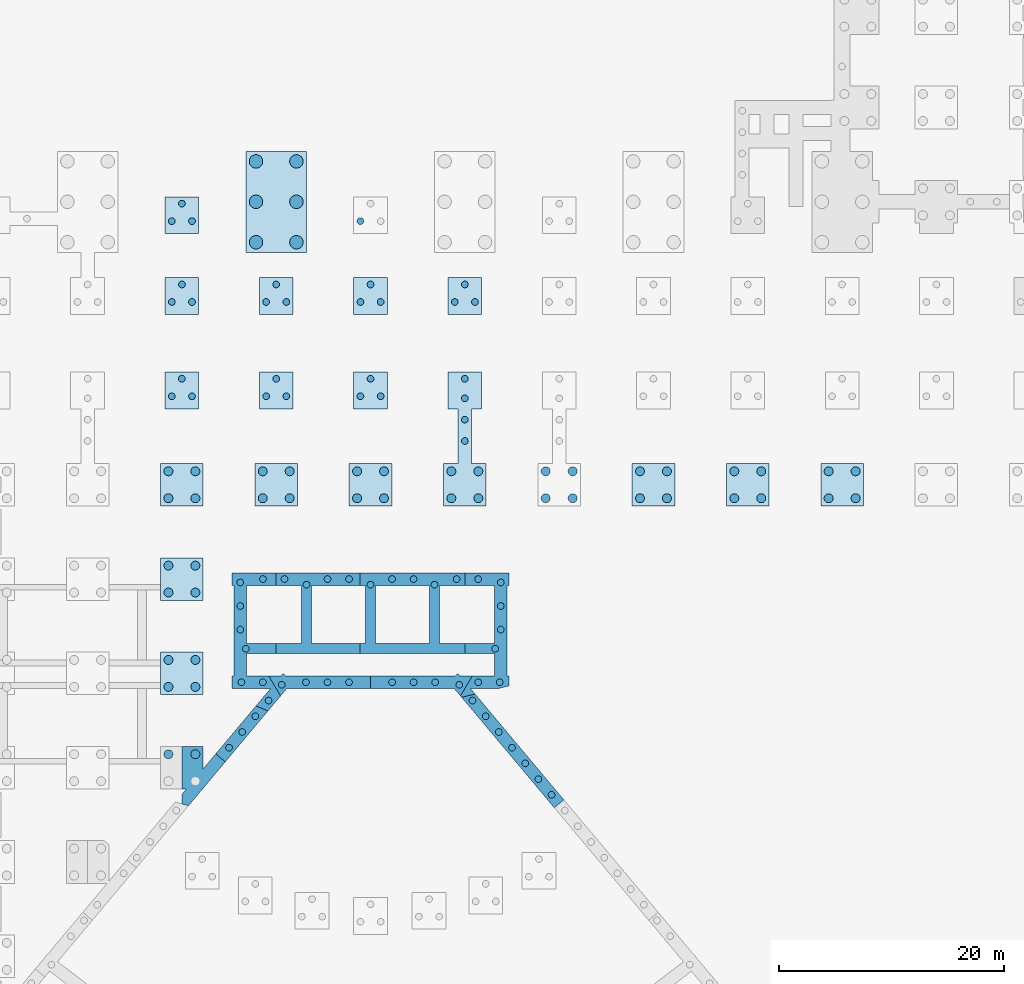
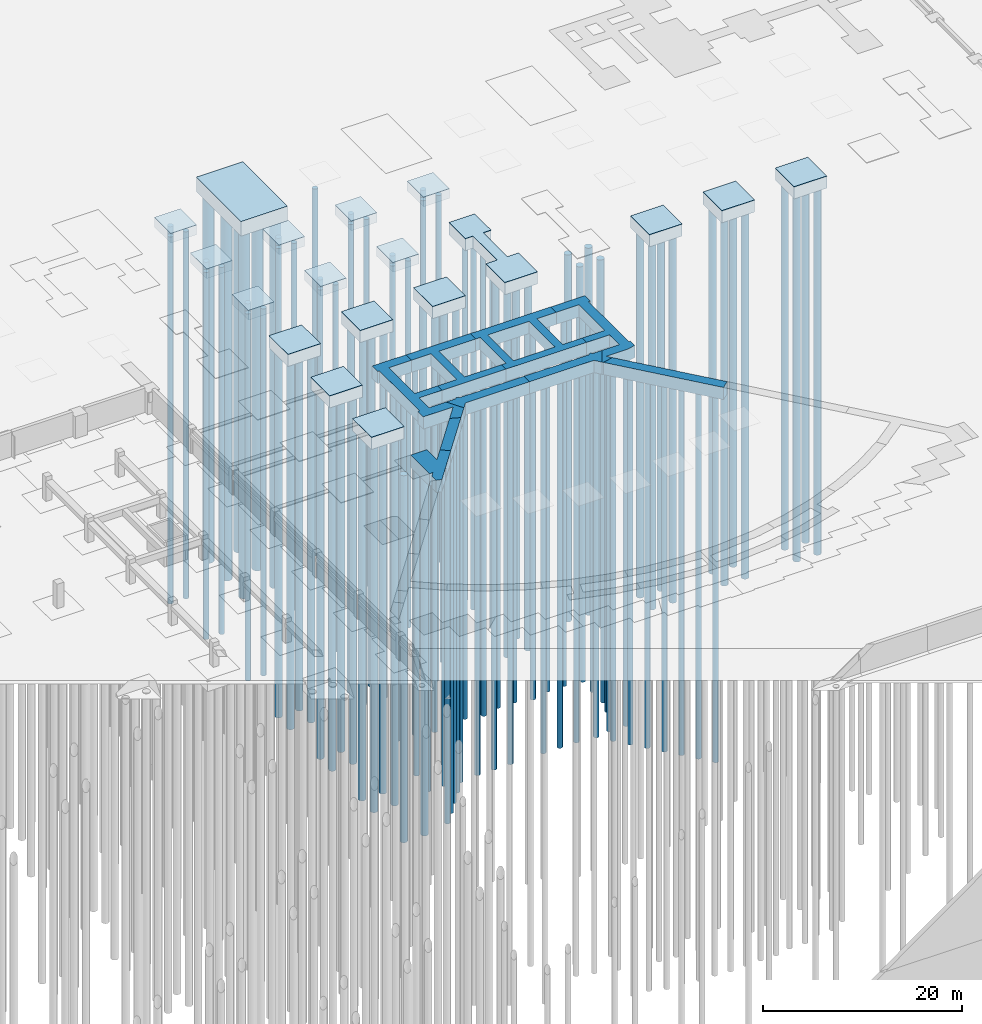
# One storey, part 11 of 67: 119 piles, 27 footings.
"""IFC4 building model written with IfcOpenShell, lengths in metres."""

from ifc_helpers import new_model, si_unit, direction, frame, origin, origin_2d, place, context, subcontext, project, spatial, polyline, circle, outline, extrude, material, material_profile, profile_set, type_object, element, save


model = new_model("IFC4")

# Units and contexts
model_context = context("Model", 3, precision=1e-05, world=origin(), true_north=direction((0.0, 1.0)))
body_context = subcontext(model_context, "Body", "Model", "MODEL_VIEW")
ifc_project = project(units=[si_unit("LENGTHUNIT", "METRE"), si_unit("AREAUNIT", "SQUARE_METRE"), si_unit("VOLUMEUNIT", "CUBIC_METRE"), si_unit("PLANEANGLEUNIT", "RADIAN"), si_unit("MASSUNIT", "GRAM", prefix="KILO")], contexts=[model_context])

# Site, building, storey
site_placement = place(None, origin())
site = spatial("IfcSite", under=ifc_project, at=site_placement, CompositionType="ELEMENT")
building_placement = place(site_placement, origin())
building = spatial("IfcBuilding", under=site, at=building_placement, Name="Rain Tree Exposition and Congress Centre", CompositionType="ELEMENT")
storey_placement = place(building_placement, frame((0.0, 0.0, -3.0)))
storey = spatial("IfcBuildingStorey", under=building, at=storey_placement, Name="B1", CompositionType="ELEMENT", Elevation=-3.0)

# Piles
ifc_material_1 = material(Name="Concrete C35/45", Category="concrete")
ifc_material_profile_1 = material_profile(ifc_material_1, circle(Radius=0.60009765625, at=origin_2d()), Name="D1200")
ifc_profile_set_1 = profile_set([ifc_material_profile_1], Name="Concrete C35/45")
pile_type_1 = type_object("IfcPileType", Name="Bored pile D1200", PredefinedType="BORED", material=ifc_profile_set_1)
for number, where, z_axis, x_axis, name in (
    (1, (191.39990234375, 97.199951171875, 0.92578125), (0.0, 0.0, -1.0), (1.0, 0.0, 0.0), "Bored pile 2024"),
    (2, (195.0, 97.199951171875, 0.92578125), (0.0, 0.0, -1.0), (1.0, 0.0, 0.0), "Bored pile 2025"),
    (3, (191.39990234375, 100.800048828125, 0.92578125), (0.0, 0.0, -1.0), (1.0, 0.0, 0.0), "Bored pile 2026"),
    (4, (195.0, 100.800048828125, 0.92578125), (0.0, 0.0, -1.0), (1.0, 0.0, 0.0), "Bored pile 2027"),
    (5, (191.39990234375, 104.39990234375, 0.92578125), (0.0, 0.0, -1.0), (1.0, 0.0, 0.0), "Bored pile 2028"),
    (6, (195.0, 104.39990234375, 0.92578125), (0.0, 0.0, -1.0), (1.0, 0.0, 0.0), "Bored pile 2029"),
):
    element("IfcPile", number, at=place(storey_placement, frame(where, z_axis=z_axis, x_axis=x_axis)), inside=storey, type_object=pile_type_1, Name=name, PredefinedType="BORED", context=body_context, shape_type="SweptSolid", body=[
        extrude(circle(Radius=0.60009765625, at=origin_2d()), origin(), (0.0, 0.0, 1.0), 45.074951171875),
    ])
ifc_material_2 = material(Name="Concrete C35/45", Category="concrete")
ifc_material_profile_2 = material_profile(ifc_material_2, circle(Radius=0.300048828125, at=origin_2d()), Name="D600")
ifc_profile_set_2 = profile_set([ifc_material_profile_2], Name="Concrete C35/45")
pile_type_2 = type_object("IfcPileType", Name="Bored pile D600", PredefinedType="BORED", material=ifc_profile_set_2)
for number, where, z_axis, x_axis, name in (
    (7, (191.345947265625, 54.979736328125, 1.2255859375), (0.0, 0.0, -1.0), (1.0, 0.0, 0.0), "Bored pile 1902"),
    (8, (190.172119140625, 53.580810546875, 1.2255859375), (0.0, 0.0, -1.0), (1.0, 0.0, 0.0), "Bored pile 1903"),
    (9, (188.998291015625, 52.181884765625, 1.2255859375), (0.0, 0.0, -1.0), (1.0, 0.0, 0.0), "Bored pile 1904"),
    (10, (192.519775390625, 56.378662109375, 1.2255859375), (0.0, 0.0, -1.0), (1.0, 0.0, 0.0), "Bored pile 1909"),
    (11, (190.10009765625, 58.010009765625, 1.2255859375), (0.0, 0.0, -1.0), (1.0, 0.0, 0.0), "Bored pile 1910"),
    (12, (192.0166015625, 58.010009765625, 1.2255859375), (0.0, 0.0, -1.0), (1.0, 0.0, 0.0), "Bored pile 1911"),
    (13, (190.5, 61.0, 1.2255859375), (0.0, 0.0, -1.0), (1.0, 0.0, 0.0), "Bored pile 1912"),
    (14, (190.0, 62.705078125, 1.2255859375), (0.0, 0.0, -1.0), (1.0, 0.0, 0.0), "Bored pile 1913"),
    (15, (190.0, 64.802490234375, 1.2255859375), (0.0, 0.0, -1.0), (1.0, 0.0, 0.0), "Bored pile 1914"),
    (16, (190.0, 66.89990234375, 1.2255859375), (0.0, 0.0, -1.0), (1.0, 0.0, 0.0), "Bored pile 1915"),
    (17, (192.0166015625, 67.199951171875, 1.2255859375), (0.0, 0.0, -1.0), (1.0, 0.0, 0.0), "Bored pile 1916"),
    (18, (193.933349609375, 67.199951171875, 1.2255859375), (0.0, 0.0, -1.0), (1.0, 0.0, 0.0), "Bored pile 1917"),
    (19, (195.89990234375, 66.699951171875, 1.2255859375), (0.0, 0.0, -1.0), (1.0, 0.0, 0.0), "Bored pile 1918"),
    (20, (197.7666015625, 67.199951171875, 1.2255859375), (0.0, 0.0, -1.0), (1.0, 0.0, 0.0), "Bored pile 1919"),
    (21, (199.683349609375, 67.199951171875, 1.2255859375), (0.0, 0.0, -1.0), (1.0, 0.0, 0.0), "Bored pile 1920"),
    (22, (201.60009765625, 66.699951171875, 1.2255859375), (0.0, 0.0, -1.0), (1.0, 0.0, 0.0), "Bored pile 1921"),
    (23, (203.5166015625, 67.199951171875, 1.2255859375), (0.0, 0.0, -1.0), (1.0, 0.0, 0.0), "Bored pile 1922"),
    (24, (205.433349609375, 67.199951171875, 1.2255859375), (0.0, 0.0, -1.0), (1.0, 0.0, 0.0), "Bored pile 1923"),
    (25, (207.300048828125, 66.699951171875, 1.2255859375), (0.0, 0.0, -1.0), (1.0, 0.0, 0.0), "Bored pile 1924"),
    (26, (209.2666015625, 67.199951171875, 1.2255859375), (0.0, 0.0, -1.0), (1.0, 0.0, 0.0), "Bored pile 1925"),
    (27, (211.183349609375, 67.199951171875, 1.2255859375), (0.0, 0.0, -1.0), (1.0, 0.0, 0.0), "Bored pile 1926"),
    (28, (213.199951171875, 66.89990234375, 1.2255859375), (0.0, 0.0, -1.0), (1.0, 0.0, 0.0), "Bored pile 1927"),
    (29, (213.199951171875, 64.802490234375, 1.2255859375), (0.0, 0.0, -1.0), (1.0, 0.0, 0.0), "Bored pile 1928"),
    (30, (213.199951171875, 62.705078125, 1.2255859375), (0.0, 0.0, -1.0), (1.0, 0.0, 0.0), "Bored pile 1929"),
    (31, (212.699951171875, 61.0, 1.2255859375), (0.0, 0.0, -1.0), (1.0, 0.0, 0.0), "Bored pile 1930"),
    (32, (211.183349609375, 58.010009765625, 1.2255859375), (0.0, 0.0, -1.0), (1.0, 0.0, 0.0), "Bored pile 1931"),
    (33, (213.10009765625, 58.010009765625, 1.2255859375), (0.0, 0.0, -1.0), (1.0, 0.0, 0.0), "Bored pile 1932"),
    (34, (210.68017578125, 56.378662109375, 1.2255859375), (0.0, 0.0, -1.0), (1.0, 0.0, 0.0), "Bored pile 1933"),
    (35, (211.85400390625, 54.979736328125, 1.2255859375), (0.0, 0.0, -1.0), (1.0, 0.0, 0.0), "Bored pile 1934"),
    (36, (213.02783203125, 53.580810546875, 1.2255859375), (0.0, 0.0, -1.0), (1.0, 0.0, 0.0), "Bored pile 1935"),
    (37, (214.20166015625, 52.181884765625, 1.2255859375), (0.0, 0.0, -1.0), (1.0, 0.0, 0.0), "Bored pile 1936"),
    (38, (215.37548828125, 50.782958984375, 1.2255859375), (0.0, 0.0, -1.0), (1.0, 0.0, 0.0), "Bored pile 1937"),
    (39, (216.54931640625, 49.384033203125, 1.2255859375), (0.0, 0.0, -1.0), (1.0, 0.0, 0.0), "Bored pile 1938"),
    (40, (217.723388671875, 47.985107421875, 1.2255859375), (0.0, 0.0, -1.0), (1.0, 0.0, 0.0), "Bored pile 1939"),
    (41, (209.50634765625, 57.777587890625, 1.2255859375), (0.0, 0.0, -1.0), (1.0, 0.0, 0.0), "Bored pile 2000"),
    (42, (203.5166015625, 58.010009765625, 1.2255859375), (0.0, 0.0, -1.0), (1.0, 0.0, 0.0), "Bored pile 2001"),
    (43, (205.433349609375, 58.010009765625, 1.2255859375), (0.0, 0.0, -1.0), (1.0, 0.0, 0.0), "Bored pile 2002"),
    (44, (207.35009765625, 58.010009765625, 1.2255859375), (0.0, 0.0, -1.0), (1.0, 0.0, 0.0), "Bored pile 2003"),
    (45, (193.693603515625, 57.777587890625, 1.2255859375), (0.0, 0.0, -1.0), (1.0, 0.0, 0.0), "Bored pile 2004"),
    (46, (195.85009765625, 58.010009765625, 1.2255859375), (0.0, 0.0, -1.0), (1.0, 0.0, 0.0), "Bored pile 2005"),
    (47, (197.7666015625, 58.010009765625, 1.2255859375), (0.0, 0.0, -1.0), (1.0, 0.0, 0.0), "Bored pile 2006"),
    (48, (199.683349609375, 58.010009765625, 1.2255859375), (0.0, 0.0, -1.0), (1.0, 0.0, 0.0), "Bored pile 2007"),
    (49, (210.0, 79.5, 1.27490234375), (0.0, 0.0, -1.0), (1.0, 0.0, 0.0), "Bored pile 2328"),
    (50, (210.0, 81.39990234375, 1.27490234375), (0.0, 0.0, -1.0), (1.0, 0.0, 0.0), "Bored pile 2329"),
    (51, (210.0, 83.300048828125, 1.27490234375), (0.0, 0.0, -1.0), (1.0, 0.0, 0.0), "Bored pile 2330"),
    (52, (210.0, 85.039306640625, 1.27490234375), (0.0, 0.0, -1.0), (1.0, 0.0, 0.0), "Bored pile 2331"),
    (53, (192.300048828125, 83.480224609375, 1.574951171875), (0.0, 0.0, -1.0), (1.0, 0.0, 0.0), "Bored pile 2332"),
    (54, (194.10009765625, 83.480224609375, 1.574951171875), (0.0, 0.0, -1.0), (1.0, 0.0, 0.0), "Bored pile 2333"),
    (55, (193.199951171875, 85.039306640625, 1.574951171875), (0.0, 0.0, -1.0), (1.0, 0.0, 0.0), "Bored pile 2334"),
    (56, (200.699951171875, 83.480224609375, 1.574951171875), (0.0, 0.0, -1.0), (1.0, 0.0, 0.0), "Bored pile 2335"),
    (57, (202.5, 83.480224609375, 1.574951171875), (0.0, 0.0, -1.0), (1.0, 0.0, 0.0), "Bored pile 2336"),
    (58, (201.60009765625, 85.039306640625, 1.574951171875), (0.0, 0.0, -1.0), (1.0, 0.0, 0.0), "Bored pile 2337"),
    (59, (183.89990234375, 83.480224609375, 1.574951171875), (0.0, 0.0, -1.0), (1.0, 0.0, 0.0), "Bored pile 2338"),
    (60, (185.699951171875, 83.480224609375, 1.574951171875), (0.0, 0.0, -1.0), (1.0, 0.0, 0.0), "Bored pile 2339"),
    (61, (184.800048828125, 85.039306640625, 1.574951171875), (0.0, 0.0, -1.0), (1.0, 0.0, 0.0), "Bored pile 2340"),
    (62, (200.699951171875, 91.88037109375, 1.574951171875), (0.0, 0.0, -1.0), (1.0, 0.0, 0.0), "Bored pile 2341"),
    (63, (202.5, 91.88037109375, 1.574951171875), (0.0, 0.0, -1.0), (1.0, 0.0, 0.0), "Bored pile 2342"),
    (64, (201.60009765625, 93.439208984375, 1.574951171875), (0.0, 0.0, -1.0), (1.0, 0.0, 0.0), "Bored pile 2343"),
    (65, (209.10009765625, 91.88037109375, 1.574951171875), (0.0, 0.0, -1.0), (1.0, 0.0, 0.0), "Bored pile 2344"),
    (66, (210.89990234375, 91.88037109375, 1.574951171875), (0.0, 0.0, -1.0), (1.0, 0.0, 0.0), "Bored pile 2345"),
    (67, (210.0, 93.439208984375, 1.574951171875), (0.0, 0.0, -1.0), (1.0, 0.0, 0.0), "Bored pile 2346"),
    (68, (183.89990234375, 91.88037109375, 1.574951171875), (0.0, 0.0, -1.0), (1.0, 0.0, 0.0), "Bored pile 2347"),
    (69, (185.699951171875, 91.88037109375, 1.574951171875), (0.0, 0.0, -1.0), (1.0, 0.0, 0.0), "Bored pile 2348"),
    (70, (184.800048828125, 93.439208984375, 1.574951171875), (0.0, 0.0, -1.0), (1.0, 0.0, 0.0), "Bored pile 2349"),
    (71, (192.300048828125, 91.88037109375, 1.574951171875), (0.0, 0.0, -1.0), (1.0, 0.0, 0.0), "Bored pile 2350"),
    (72, (194.10009765625, 91.88037109375, 1.574951171875), (0.0, 0.0, -1.0), (1.0, 0.0, 0.0), "Bored pile 2351"),
    (73, (193.199951171875, 93.439208984375, 1.574951171875), (0.0, 0.0, -1.0), (1.0, 0.0, 0.0), "Bored pile 2352"),
    (74, (200.699951171875, 99.080322265625, 1.574951171875), (0.0, 0.0, -1.0), (1.0, 0.0, 0.0), "Bored pile 2353"),
    (75, (183.89990234375, 99.080322265625, 1.574951171875), (0.0, 0.0, -1.0), (1.0, 0.0, 0.0), "Bored pile 2356"),
    (76, (185.699951171875, 99.080322265625, 1.574951171875), (0.0, 0.0, -1.0), (1.0, 0.0, 0.0), "Bored pile 2357"),
    (77, (184.800048828125, 100.639404296875, 1.574951171875), (0.0, 0.0, -1.0), (1.0, 0.0, 0.0), "Bored pile 2358"),
):
    element("IfcPile", number, at=place(storey_placement, frame(where, z_axis=z_axis, x_axis=x_axis)), inside=storey, type_object=pile_type_2, Name=name, PredefinedType="BORED", context=body_context, shape_type="SweptSolid", body=[
        extrude(circle(Radius=0.300048828125, at=origin_2d()), origin(), (0.0, 0.0, 1.0), 45.074951171875),
    ])
ifc_material_3 = material(Name="Concrete C35/45", Category="concrete")
ifc_material_profile_3 = material_profile(ifc_material_3, circle(Radius=0.39990234375, at=origin_2d()), Name="D800")
ifc_profile_set_3 = profile_set([ifc_material_profile_3], Name="Concrete C35/45")
pile_type_3 = type_object("IfcPileType", Name="Bored pile D800", PredefinedType="BORED", material=ifc_profile_set_3)
for number, where, z_axis, x_axis, name in (
    (78, (183.60009765625, 51.60009765625, 1.2255859375), (0.0, 0.0, -1.0), (1.0, 0.0, 0.0), "Bored pile 1905"),
    (79, (186.0, 51.60009765625, 1.2255859375), (0.0, 0.0, -1.0), (1.0, 0.0, 0.0), "Bored pile 1907"),
    (80, (183.60009765625, 57.60009765625, 1.27490234375), (0.0, 0.0, -1.0), (1.0, 0.0, 0.0), "Bored pile 2304"),
    (81, (186.0, 57.60009765625, 1.27490234375), (0.0, 0.0, -1.0), (1.0, 0.0, 0.0), "Bored pile 2305"),
    (82, (183.60009765625, 60.0, 1.27490234375), (0.0, 0.0, -1.0), (1.0, 0.0, 0.0), "Bored pile 2306"),
    (83, (186.0, 60.0, 1.27490234375), (0.0, 0.0, -1.0), (1.0, 0.0, 0.0), "Bored pile 2307"),
    (84, (183.60009765625, 66.0, 1.27490234375), (0.0, 0.0, -1.0), (1.0, 0.0, 0.0), "Bored pile 2308"),
    (85, (186.0, 66.0, 1.27490234375), (0.0, 0.0, -1.0), (1.0, 0.0, 0.0), "Bored pile 2309"),
    (86, (183.60009765625, 68.39990234375, 1.27490234375), (0.0, 0.0, -1.0), (1.0, 0.0, 0.0), "Bored pile 2310"),
    (87, (186.0, 68.39990234375, 1.27490234375), (0.0, 0.0, -1.0), (1.0, 0.0, 0.0), "Bored pile 2311"),
    (88, (192.0, 74.39990234375, 1.27490234375), (0.0, 0.0, -1.0), (1.0, 0.0, 0.0), "Bored pile 2312"),
    (89, (194.39990234375, 74.39990234375, 1.27490234375), (0.0, 0.0, -1.0), (1.0, 0.0, 0.0), "Bored pile 2313"),
    (90, (192.0, 76.800048828125, 1.27490234375), (0.0, 0.0, -1.0), (1.0, 0.0, 0.0), "Bored pile 2314"),
    (91, (194.39990234375, 76.800048828125, 1.27490234375), (0.0, 0.0, -1.0), (1.0, 0.0, 0.0), "Bored pile 2315"),
    (92, (200.39990234375, 74.39990234375, 1.27490234375), (0.0, 0.0, -1.0), (1.0, 0.0, 0.0), "Bored pile 2316"),
    (93, (202.800048828125, 74.39990234375, 1.27490234375), (0.0, 0.0, -1.0), (1.0, 0.0, 0.0), "Bored pile 2317"),
    (94, (200.39990234375, 76.800048828125, 1.27490234375), (0.0, 0.0, -1.0), (1.0, 0.0, 0.0), "Bored pile 2318"),
    (95, (202.800048828125, 76.800048828125, 1.27490234375), (0.0, 0.0, -1.0), (1.0, 0.0, 0.0), "Bored pile 2319"),
    (96, (183.60009765625, 74.39990234375, 1.27490234375), (0.0, 0.0, -1.0), (1.0, 0.0, 0.0), "Bored pile 2320"),
    (97, (186.0, 74.39990234375, 1.27490234375), (0.0, 0.0, -1.0), (1.0, 0.0, 0.0), "Bored pile 2321"),
    (98, (183.60009765625, 76.800048828125, 1.27490234375), (0.0, 0.0, -1.0), (1.0, 0.0, 0.0), "Bored pile 2322"),
    (99, (186.0, 76.800048828125, 1.27490234375), (0.0, 0.0, -1.0), (1.0, 0.0, 0.0), "Bored pile 2323"),
    (100, (208.800048828125, 74.39990234375, 1.27490234375), (0.0, 0.0, -1.0), (1.0, 0.0, 0.0), "Bored pile 2324"),
    (101, (211.199951171875, 74.39990234375, 1.27490234375), (0.0, 0.0, -1.0), (1.0, 0.0, 0.0), "Bored pile 2325"),
    (102, (208.800048828125, 76.800048828125, 1.27490234375), (0.0, 0.0, -1.0), (1.0, 0.0, 0.0), "Bored pile 2326"),
    (103, (211.199951171875, 76.800048828125, 1.27490234375), (0.0, 0.0, -1.0), (1.0, 0.0, 0.0), "Bored pile 2327"),
    (104, (217.199951171875, 74.39990234375, 1.27490234375), (0.0, 0.0, -1.0), (1.0, 0.0, 0.0), "Bored pile 2362"),
    (105, (219.60009765625, 74.39990234375, 1.27490234375), (0.0, 0.0, -1.0), (1.0, 0.0, 0.0), "Bored pile 2363"),
    (106, (217.199951171875, 76.800048828125, 1.27490234375), (0.0, 0.0, -1.0), (1.0, 0.0, 0.0), "Bored pile 2364"),
    (107, (219.60009765625, 76.800048828125, 1.27490234375), (0.0, 0.0, -1.0), (1.0, 0.0, 0.0), "Bored pile 2365"),
    (108, (225.60009765625, 74.39990234375, 1.27490234375), (0.0, 0.0, -1.0), (1.0, 0.0, 0.0), "Bored pile 2382"),
    (109, (228.0, 74.39990234375, 1.27490234375), (0.0, 0.0, -1.0), (1.0, 0.0, 0.0), "Bored pile 2383"),
    (110, (225.60009765625, 76.800048828125, 1.27490234375), (0.0, 0.0, -1.0), (1.0, 0.0, 0.0), "Bored pile 2384"),
    (111, (228.0, 76.800048828125, 1.27490234375), (0.0, 0.0, -1.0), (1.0, 0.0, 0.0), "Bored pile 2385"),
    (112, (242.39990234375, 74.39990234375, 1.27490234375), (0.0, 0.0, -1.0), (1.0, 0.0, 0.0), "Bored pile 2386"),
    (113, (244.800048828125, 74.39990234375, 1.27490234375), (0.0, 0.0, -1.0), (1.0, 0.0, 0.0), "Bored pile 2387"),
    (114, (242.39990234375, 76.800048828125, 1.27490234375), (0.0, 0.0, -1.0), (1.0, 0.0, 0.0), "Bored pile 2388"),
    (115, (244.800048828125, 76.800048828125, 1.27490234375), (0.0, 0.0, -1.0), (1.0, 0.0, 0.0), "Bored pile 2389"),
    (116, (234.0, 74.39990234375, 1.27490234375), (0.0, 0.0, -1.0), (1.0, 0.0, 0.0), "Bored pile 2390"),
    (117, (236.39990234375, 74.39990234375, 1.27490234375), (0.0, 0.0, -1.0), (1.0, 0.0, 0.0), "Bored pile 2391"),
    (118, (234.0, 76.800048828125, 1.27490234375), (0.0, 0.0, -1.0), (1.0, 0.0, 0.0), "Bored pile 2392"),
    (119, (236.39990234375, 76.800048828125, 1.27490234375), (0.0, 0.0, -1.0), (1.0, 0.0, 0.0), "Bored pile 2393"),
):
    element("IfcPile", number, at=place(storey_placement, frame(where, z_axis=z_axis, x_axis=x_axis)), inside=storey, type_object=pile_type_3, Name=name, PredefinedType="BORED", context=body_context, shape_type="SweptSolid", body=[
        extrude(circle(Radius=0.39990234375, at=origin_2d()), origin(), (0.0, 0.0, 1.0), 45.074951171875),
    ])

# Footings
ifc_material_4 = material(Name="Concrete C35/45", Category="concrete")
footing_type_1 = type_object("IfcFootingType", Name="Pile cap 1200 thick", PredefinedType="PILE_CAP", material=ifc_material_4)
footing_1_placement = place(storey_placement, frame((0.0, 0.0, 1.5)))
element("IfcFooting", 120, at=footing_1_placement, inside=storey, type_object=footing_type_1, Name="Pile cap 355", PredefinedType="PILE_CAP", context=body_context, shape_type="SweptSolid", body=[
    extrude(outline(polyline([(194.699951171875, 82.360595703125), (194.699951171875, 85.639404296875), (191.699951171875, 85.639404296875), (191.699951171875, 82.360595703125), (194.699951171875, 82.360595703125)])), origin(), (0.0, 0.0, 1.0), 1.199951171875),
])
footing_2_placement = place(storey_placement, frame((0.0, 0.0, 1.5)))
element("IfcFooting", 121, at=footing_2_placement, inside=storey, type_object=footing_type_1, Name="Pile cap 356", PredefinedType="PILE_CAP", context=body_context, shape_type="SweptSolid", body=[
    extrude(outline(polyline([(203.10009765625, 82.360595703125), (203.10009765625, 85.639404296875), (200.10009765625, 85.639404296875), (200.10009765625, 82.360595703125), (203.10009765625, 82.360595703125)])), origin(), (0.0, 0.0, 1.0), 1.199951171875),
])
footing_3_placement = place(storey_placement, frame((0.0, 0.0, 1.5)))
element("IfcFooting", 122, at=footing_3_placement, inside=storey, type_object=footing_type_1, Name="Pile cap 357", PredefinedType="PILE_CAP", context=body_context, shape_type="SweptSolid", body=[
    extrude(outline(polyline([(186.300048828125, 82.360595703125), (186.300048828125, 85.639404296875), (183.300048828125, 85.639404296875), (183.300048828125, 82.360595703125), (186.300048828125, 82.360595703125)])), origin(), (0.0, 0.0, 1.0), 1.199951171875),
])
footing_4_placement = place(storey_placement, frame((0.0, 0.0, 1.5)))
element("IfcFooting", 123, at=footing_4_placement, inside=storey, type_object=footing_type_1, Name="Pile cap 358", PredefinedType="PILE_CAP", context=body_context, shape_type="SweptSolid", body=[
    extrude(outline(polyline([(203.10009765625, 90.7607421875), (203.10009765625, 94.039306640625), (200.10009765625, 94.039306640625), (200.10009765625, 90.7607421875), (203.10009765625, 90.7607421875)])), origin(), (0.0, 0.0, 1.0), 1.199951171875),
])
footing_5_placement = place(storey_placement, frame((0.0, 0.0, 1.5)))
element("IfcFooting", 124, at=footing_5_placement, inside=storey, type_object=footing_type_1, Name="Pile cap 359", PredefinedType="PILE_CAP", context=body_context, shape_type="SweptSolid", body=[
    extrude(outline(polyline([(211.5, 90.7607421875), (211.5, 94.039306640625), (208.5, 94.039306640625), (208.5, 90.7607421875), (211.5, 90.7607421875)])), origin(), (0.0, 0.0, 1.0), 1.199951171875),
])
footing_6_placement = place(storey_placement, frame((0.0, 0.0, 1.5)))
element("IfcFooting", 125, at=footing_6_placement, inside=storey, type_object=footing_type_1, Name="Pile cap 360", PredefinedType="PILE_CAP", context=body_context, shape_type="SweptSolid", body=[
    extrude(outline(polyline([(186.300048828125, 90.7607421875), (186.300048828125, 94.039306640625), (183.300048828125, 94.039306640625), (183.300048828125, 90.7607421875), (186.300048828125, 90.7607421875)])), origin(), (0.0, 0.0, 1.0), 1.199951171875),
])
footing_7_placement = place(storey_placement, frame((0.0, 0.0, 1.5)))
element("IfcFooting", 126, at=footing_7_placement, inside=storey, type_object=footing_type_1, Name="Pile cap 361", PredefinedType="PILE_CAP", context=body_context, shape_type="SweptSolid", body=[
    extrude(outline(polyline([(194.699951171875, 90.7607421875), (194.699951171875, 94.039306640625), (191.699951171875, 94.039306640625), (191.699951171875, 90.7607421875), (194.699951171875, 90.7607421875)])), origin(), (0.0, 0.0, 1.0), 1.199951171875),
])
footing_8_placement = place(storey_placement, frame((0.0, 0.0, 1.5)))
element("IfcFooting", 127, at=footing_8_placement, inside=storey, type_object=footing_type_1, Name="Pile cap 363", PredefinedType="PILE_CAP", context=body_context, shape_type="SweptSolid", body=[
    extrude(outline(polyline([(186.300048828125, 97.960693359375), (186.300048828125, 101.2392578125), (183.300048828125, 101.2392578125), (183.300048828125, 97.960693359375), (186.300048828125, 97.960693359375)])), origin(), (0.0, 0.0, 1.0), 1.199951171875),
])
ifc_material_5 = material(Name="Concrete C35/45", Category="concrete")
footing_type_2 = type_object("IfcFootingType", Name="Pile cap 1500 thick", PredefinedType="PILE_CAP", material=ifc_material_5)
footing_9_placement = place(storey_placement, frame((0.0, 0.0, 1.199951171875)))
element("IfcFooting", 128, at=footing_9_placement, inside=storey, type_object=footing_type_2, Name="Pile cap 350", PredefinedType="PILE_CAP", context=body_context, shape_type="SweptSolid", body=[
    extrude(outline(polyline([(186.699951171875, 56.89990234375), (186.699951171875, 60.699951171875), (182.89990234375, 60.699951171875), (182.89990234375, 56.89990234375), (186.699951171875, 56.89990234375)])), origin(), (0.0, 0.0, 1.0), 1.5),
])
footing_10_placement = place(storey_placement, frame((0.0, 0.0, 1.199951171875)))
element("IfcFooting", 129, at=footing_10_placement, inside=storey, type_object=footing_type_2, Name="Pile cap 351", PredefinedType="PILE_CAP", context=body_context, shape_type="SweptSolid", body=[
    extrude(outline(polyline([(186.699951171875, 65.300048828125), (186.699951171875, 69.10009765625), (182.89990234375, 69.10009765625), (182.89990234375, 65.300048828125), (186.699951171875, 65.300048828125)])), origin(), (0.0, 0.0, 1.0), 1.5),
])
footing_11_placement = place(storey_placement, frame((0.0, 0.0, 1.199951171875)))
element("IfcFooting", 130, at=footing_11_placement, inside=storey, type_object=footing_type_2, Name="Pile cap 352", PredefinedType="PILE_CAP", context=body_context, shape_type="SweptSolid", body=[
    extrude(outline(polyline([(195.10009765625, 73.699951171875), (195.10009765625, 77.5), (191.300048828125, 77.5), (191.300048828125, 73.699951171875), (195.10009765625, 73.699951171875)])), origin(), (0.0, 0.0, 1.0), 1.5),
])
footing_12_placement = place(storey_placement, frame((0.0, 0.0, 1.199951171875)))
element("IfcFooting", 131, at=footing_12_placement, inside=storey, type_object=footing_type_2, Name="Pile cap 353", PredefinedType="PILE_CAP", context=body_context, shape_type="SweptSolid", body=[
    extrude(outline(polyline([(203.5, 73.699951171875), (203.5, 77.5), (199.699951171875, 77.5), (199.699951171875, 73.699951171875), (203.5, 73.699951171875)])), origin(), (0.0, 0.0, 1.0), 1.5),
])
footing_13_placement = place(storey_placement, frame((0.0, 0.0, 1.199951171875)))
element("IfcFooting", 132, at=footing_13_placement, inside=storey, type_object=footing_type_2, Name="Pile cap 354", PredefinedType="PILE_CAP", context=body_context, shape_type="SweptSolid", body=[
    extrude(outline(polyline([(186.699951171875, 73.699951171875), (186.699951171875, 77.5), (182.89990234375, 77.5), (182.89990234375, 73.699951171875), (186.699951171875, 73.699951171875)])), origin(), (0.0, 0.0, 1.0), 1.5),
])
footing_14_placement = place(storey_placement, frame((0.0, 0.0, 1.199951171875)))
element("IfcFooting", 133, at=footing_14_placement, inside=storey, type_object=footing_type_2, Name="Pile cap 366", PredefinedType="PILE_CAP", context=body_context, shape_type="SweptSolid", body=[
    extrude(outline(polyline([(228.699951171875, 73.699951171875), (228.699951171875, 77.5), (224.89990234375, 77.5), (224.89990234375, 73.699951171875), (228.699951171875, 73.699951171875)])), origin(), (0.0, 0.0, 1.0), 1.5),
])
footing_15_placement = place(storey_placement, frame((0.0, 0.0, 1.199951171875)))
element("IfcFooting", 134, at=footing_15_placement, inside=storey, type_object=footing_type_2, Name="Pile cap 367", PredefinedType="PILE_CAP", context=body_context, shape_type="SweptSolid", body=[
    extrude(outline(polyline([(245.5, 73.699951171875), (245.5, 77.5), (241.699951171875, 77.5), (241.699951171875, 73.699951171875), (245.5, 73.699951171875)])), origin(), (0.0, 0.0, 1.0), 1.5),
])
footing_16_placement = place(storey_placement, frame((0.0, 0.0, 1.199951171875)))
element("IfcFooting", 135, at=footing_16_placement, inside=storey, type_object=footing_type_2, Name="Pile cap 368", PredefinedType="PILE_CAP", context=body_context, shape_type="SweptSolid", body=[
    extrude(outline(polyline([(237.10009765625, 73.699951171875), (237.10009765625, 77.5), (233.300048828125, 77.5), (233.300048828125, 73.699951171875), (237.10009765625, 73.699951171875)])), origin(), (0.0, 0.0, 1.0), 1.5),
])
ifc_material_6 = material(Name="Concrete C35/45", Category="concrete")
footing_type_3 = type_object("IfcFootingType", Name="Pile cap 1800 thick", PredefinedType="PILE_CAP", material=ifc_material_6)
footing_17_placement = place(storey_placement, frame((0.0, 0.0, 0.8505859375)))
element("IfcFooting", 136, at=footing_17_placement, inside=storey, type_object=footing_type_3, Name="Pile cap 311", PredefinedType="PILE_CAP", context=body_context, shape_type="SweptSolid", body=[
    extrude(outline(polyline([(190.5, 96.300048828125), (195.89990234375, 96.300048828125), (195.89990234375, 105.300048828125), (190.5, 105.300048828125), (190.5, 96.300048828125)])), origin(), (0.0, 0.0, 1.0), 1.800048828125),
])
ifc_material_7 = material(Name="Concrete C35/45", Category="concrete")
footing_type_4 = type_object("IfcFootingType", Name="Strip footing 1500 thick", PredefinedType="STRIP_FOOTING", material=ifc_material_7)
footing_18_placement = place(storey_placement, frame((0.0, 0.0, 1.150634765625)))
element("IfcFooting", 137, at=footing_18_placement, inside=storey, type_object=footing_type_4, Name="Strip footing 062", PredefinedType="STRIP_FOOTING", context=body_context, shape_type="SweptSolid", body=[
    extrude(outline(polyline([(191.39892578125, 55.898681640625), (187.81591796875, 51.62841796875), (188.6630859375, 50.926513671875), (192.466796875, 55.459716796875), (191.39892578125, 55.898681640625)])), origin(), (0.0, 0.0, 1.0), 1.5),
])
footing_19_placement = place(storey_placement, frame((0.0, 0.0, 1.150634765625)))
element("IfcFooting", 138, at=footing_19_placement, inside=storey, type_object=footing_type_4, Name="Strip footing 064", PredefinedType="STRIP_FOOTING", context=body_context, shape_type="SweptSolid", body=[
    extrude(outline(polyline([(186.699951171875, 52.300048828125), (184.800048828125, 52.300048828125), (184.800048828125, 48.5), (185.19091796875, 48.5), (184.800048828125, 48.0341796875), (184.800048828125, 47.1787109375), (185.381103515625, 47.015380859375), (186.626708984375, 48.5), (186.699951171875, 48.5), (186.699951171875, 48.58740234375), (188.6630859375, 50.926513671875), (187.81591796875, 51.62841796875), (186.699951171875, 50.298583984375), (186.699951171875, 52.300048828125)])), origin(), (0.0, 0.0, 1.0), 1.5),
])
footing_20_placement = place(storey_placement, frame((0.0, 0.0, 1.150634765625)))
element("IfcFooting", 139, at=footing_20_placement, inside=storey, type_object=footing_type_4, Name="Strip footing 065", PredefinedType="STRIP_FOOTING", context=body_context, shape_type="SweptSolid", body=[
    extrude(outline(polyline([(192.708984375, 57.4599609375), (191.39892578125, 55.898681640625), (192.466796875, 55.459716796875), (193.587890625, 56.7958984375), (192.53662109375, 58.56005859375), (190.550048828125, 58.56005859375), (190.550048828125, 60.550048828125), (193.199951171875, 60.550048828125), (193.199951171875, 61.449951171875), (190.550048828125, 61.449951171875), (190.550048828125, 66.64990234375), (193.199951171875, 66.64990234375), (193.199951171875, 67.75), (189.25, 67.75), (189.25, 66.64990234375), (189.449951171875, 66.64990234375), (189.449951171875, 58.56005859375), (189.25, 58.56005859375), (189.25, 57.4599609375), (192.708984375, 57.4599609375)])), origin(), (0.0, 0.0, 1.0), 1.5),
])
footing_21_placement = place(storey_placement, frame((0.0, 0.0, 1.150634765625)))
element("IfcFooting", 140, at=footing_21_placement, inside=storey, type_object=footing_type_4, Name="Strip footing 066", PredefinedType="STRIP_FOOTING", context=body_context, shape_type="SweptSolid", body=[
    extrude(outline(polyline([(200.6416015625, 67.75), (193.199951171875, 67.75), (193.199951171875, 66.64990234375), (195.449951171875, 66.64990234375), (195.449951171875, 61.449951171875), (193.199951171875, 61.449951171875), (193.199951171875, 60.550048828125), (200.6416015625, 60.550048828125), (200.6416015625, 61.449951171875), (196.35009765625, 61.449951171875), (196.35009765625, 66.64990234375), (200.6416015625, 66.64990234375), (200.6416015625, 67.75)])), origin(), (0.0, 0.0, 1.0), 1.5),
])
footing_22_placement = place(storey_placement, frame((0.0, 0.0, 1.150634765625)))
element("IfcFooting", 141, at=footing_22_placement, inside=storey, type_object=footing_type_4, Name="Strip footing 067", PredefinedType="STRIP_FOOTING", context=body_context, shape_type="SweptSolid", body=[
    extrude(outline(polyline([(210.0, 67.75), (200.6416015625, 67.75), (200.6416015625, 66.64990234375), (201.14990234375, 66.64990234375), (201.14990234375, 61.449951171875), (200.6416015625, 61.449951171875), (200.6416015625, 60.550048828125), (210.0, 60.550048828125), (210.0, 61.449951171875), (207.75, 61.449951171875), (207.75, 66.64990234375), (210.0, 66.64990234375), (210.0, 67.75)]), holes=[polyline([(202.050048828125, 66.64990234375), (202.050048828125, 61.449951171875), (206.85009765625, 61.449951171875), (206.85009765625, 66.64990234375), (202.050048828125, 66.64990234375)])]), origin(), (0.0, 0.0, 1.0), 1.5),
])
footing_23_placement = place(storey_placement, frame((0.0, 0.0, 1.150634765625)))
element("IfcFooting", 142, at=footing_23_placement, inside=storey, type_object=footing_type_4, Name="Strip footing 068", PredefinedType="STRIP_FOOTING", context=body_context, shape_type="SweptSolid", body=[
    extrude(outline(polyline([(213.949951171875, 67.75), (210.0, 67.75), (210.0, 66.64990234375), (212.64990234375, 66.64990234375), (212.64990234375, 61.449951171875), (210.0, 61.449951171875), (210.0, 60.550048828125), (212.64990234375, 60.550048828125), (212.64990234375, 58.56005859375), (210.663330078125, 58.56005859375), (209.612060546875, 56.7958984375), (209.717041015625, 56.6708984375), (210.91162109375, 56.95849609375), (210.490966796875, 57.4599609375), (212.99267578125, 57.4599609375), (213.949951171875, 57.690673828125), (213.949951171875, 58.56005859375), (213.75, 58.56005859375), (213.75, 66.64990234375), (213.949951171875, 66.64990234375), (213.949951171875, 67.75)])), origin(), (0.0, 0.0, 1.0), 1.5),
])
footing_24_placement = place(storey_placement, frame((0.0, 0.0, 1.150634765625)))
element("IfcFooting", 143, at=footing_24_placement, inside=storey, type_object=footing_type_4, Name="Strip footing 069", PredefinedType="STRIP_FOOTING", context=body_context, shape_type="SweptSolid", body=[
    extrude(outline(polyline([(218.8212890625, 47.531982421875), (210.91162109375, 56.95849609375), (209.717041015625, 56.6708984375), (217.978759765625, 46.824951171875), (218.8212890625, 47.531982421875)])), origin(), (0.0, 0.0, 1.0), 1.5),
])
footing_25_placement = place(storey_placement, frame((0.0, 0.0, 1.150634765625)))
element("IfcFooting", 144, at=footing_25_placement, inside=storey, type_object=footing_type_4, Name="Strip footing 086", PredefinedType="STRIP_FOOTING", context=body_context, shape_type="SweptSolid", body=[
    extrude(outline(polyline([(209.612060546875, 56.7958984375), (210.663330078125, 58.56005859375), (210.0, 58.56005859375), (209.56787109375, 58.56005859375), (209.38134765625, 58.782470703125), (209.1162109375, 58.56005859375), (201.60009765625, 58.56005859375), (201.60009765625, 57.4599609375), (209.054931640625, 57.4599609375), (209.612060546875, 56.7958984375)])), origin(), (0.0, 0.0, 1.0), 1.5),
])
footing_26_placement = place(storey_placement, frame((0.0, 0.0, 1.150634765625)))
element("IfcFooting", 145, at=footing_26_placement, inside=storey, type_object=footing_type_4, Name="Strip footing 087", PredefinedType="STRIP_FOOTING", context=body_context, shape_type="SweptSolid", body=[
    extrude(outline(polyline([(201.60009765625, 57.4599609375), (201.60009765625, 58.56005859375), (194.083740234375, 58.56005859375), (193.818603515625, 58.782470703125), (193.632080078125, 58.56005859375), (193.199951171875, 58.56005859375), (192.53662109375, 58.56005859375), (193.587890625, 56.7958984375), (194.14501953125, 57.4599609375), (201.60009765625, 57.4599609375)])), origin(), (0.0, 0.0, 1.0), 1.5),
])
footing_27_placement = place(storey_placement, frame((0.0, 0.0, 1.199951171875)))
element("IfcFooting", 146, at=footing_27_placement, inside=storey, type_object=footing_type_4, Name="Strip footing 099", PredefinedType="STRIP_FOOTING", context=body_context, shape_type="SweptSolid", body=[
    extrude(outline(polyline([(211.89990234375, 77.5), (210.60009765625, 77.5), (210.60009765625, 82.360595703125), (211.5, 82.360595703125), (211.5, 85.639404296875), (208.5, 85.639404296875), (208.5, 82.360595703125), (209.39990234375, 82.360595703125), (209.39990234375, 77.5), (208.10009765625, 77.5), (208.10009765625, 73.699951171875), (211.89990234375, 73.699951171875), (211.89990234375, 77.5)])), origin(), (0.0, 0.0, 1.0), 1.5),
])

save(model, "model.ifc")
